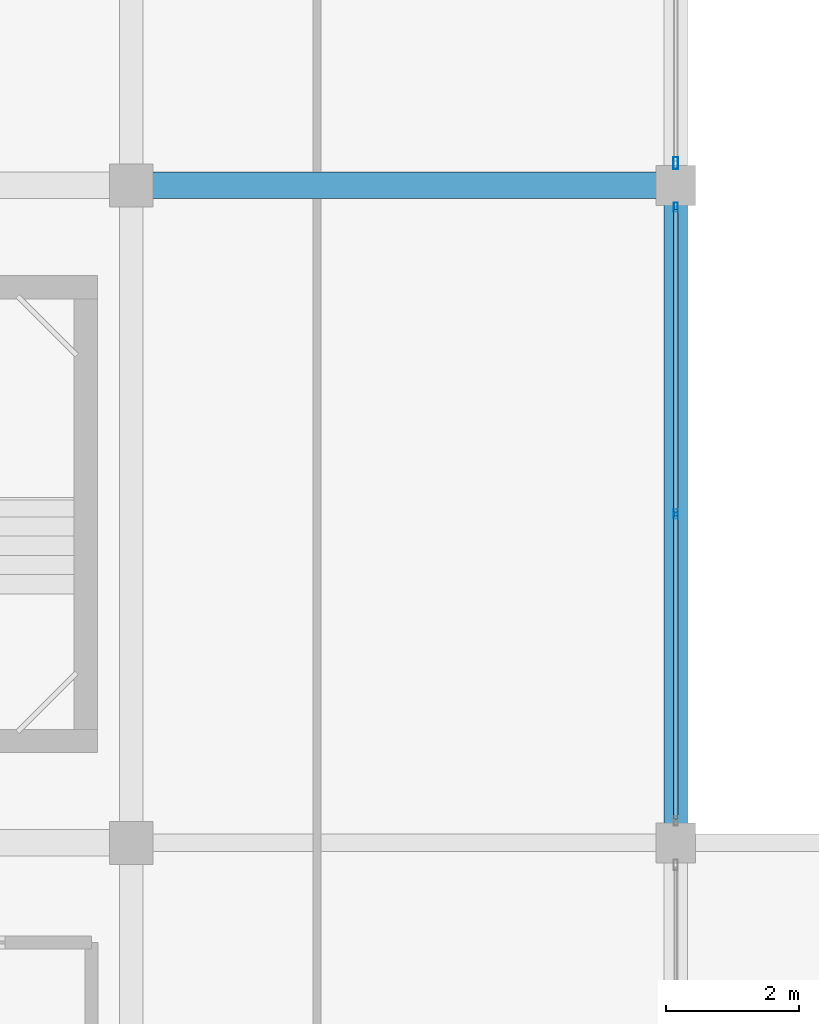
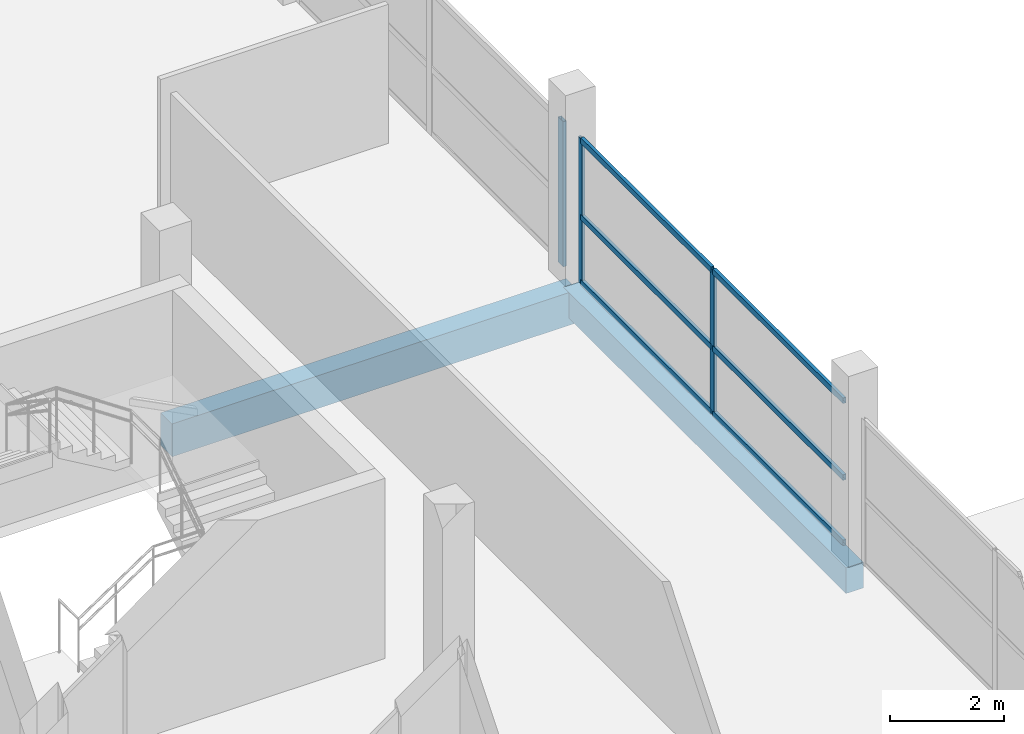
# One storey, part 37 of 66: 9 members, 2 beams, 2 elements without a shape of their own.
"""IFC4 building model written with IfcOpenShell, lengths in metres."""

from ifc_helpers import new_model, si_unit, direction, frame, origin, origin_2d, place, context, subcontext, project, spatial, rectangle, hollow_rectangle, extrude, material, layer, layer_set, material_profile, profile_set, type_object, element, aggregate, save


model = new_model("IFC4")

# Units and contexts
model_context = context("Model", 3, precision=1e-05, world=origin(), true_north=direction((0.0, 1.0)))
body_context = subcontext(model_context, "Body", "Model", "MODEL_VIEW")
ifc_project = project(units=[si_unit("LENGTHUNIT", "METRE"), si_unit("AREAUNIT", "SQUARE_METRE"), si_unit("VOLUMEUNIT", "CUBIC_METRE"), si_unit("PLANEANGLEUNIT", "RADIAN"), si_unit("MASSUNIT", "GRAM", prefix="KILO")], contexts=[model_context])

# Site, building, storey
site_placement = place(None, origin())
site = spatial("IfcSite", under=ifc_project, at=site_placement, CompositionType="ELEMENT")
building_placement = place(site_placement, origin())
building = spatial("IfcBuilding", under=site, at=building_placement, Name="Sillaruma Civic Art Gallery", CompositionType="ELEMENT")
storey_placement = place(building_placement, frame((0.0, 0.0, 62.219970703125)))
storey = spatial("IfcBuildingStorey", under=building, at=storey_placement, Name="L12", CompositionType="ELEMENT", Elevation=62.219970703125)

# Beams
ifc_material_1 = material(Name="Concrete H35 (35 MPa)", Category="concrete")
ifc_material_profile_1 = material_profile(ifc_material_1, rectangle(XDim=0.39990234375, YDim=0.699951171875, at=origin_2d()), Name="RCB400x700")
ifc_profile_set_1 = profile_set([ifc_material_profile_1], Name="Concrete H35 (35 MPa)")
beam_type_1 = type_object("IfcBeamType", Name="BM-BEAM-RCB400x700", PredefinedType="BEAM", material=ifc_profile_set_1)
beam_1_placement = place(storey_placement, frame((106.199951171875, 59.39990234375, -0.580078125), z_axis=(1.0, 0.0, 0.0), x_axis=(0.0, 1.0, 0.0)))
element("IfcBeam", 1, at=beam_1_placement, inside=storey, type_object=beam_type_1, Name="Beam BM-04 (L11:7:M-N)", PredefinedType="BEAM", context=body_context, shape_type="SweptSolid", body=[
    extrude(rectangle(XDim=0.39990234375, YDim=0.699951171875, at=origin_2d()), origin(), (0.0, 0.0, 1.0), 8.199951171875),
])
ifc_material_profile_2 = material_profile(ifc_material_1, rectangle(XDim=0.35009765625, YDim=0.550048828125, at=origin_2d()), Name="RCB350x550")
ifc_profile_set_2 = profile_set([ifc_material_profile_2], Name="Concrete H35 (35 MPa)")
beam_type_2 = type_object("IfcBeamType", Name="BM-SPANDREL-RCB350x550", PredefinedType="SPANDREL", material=ifc_profile_set_2)
beam_2_placement = place(storey_placement, frame((114.39990234375, 49.5, -0.5048828125), z_axis=(0.0, 1.0, 0.0), x_axis=(-1.0, 0.0, 0.0)))
element("IfcBeam", 2, at=beam_2_placement, inside=storey, type_object=beam_type_2, Name="Beam BS-04 (L11:N:6-7)", PredefinedType="SPANDREL", context=body_context, shape_type="SweptSolid", body=[
    extrude(rectangle(XDim=0.35009765625, YDim=0.550048828125, at=origin_2d()), origin(), (0.0, 0.0, 1.0), 9.89990234375),
])

# Curtain wall, members
ifc_material_2 = material(Name="Thermally Broken Extruded Aluminium 6063-T6", Category="aluminium")
ifc_layer_1 = layer(ifc_material_2, 0.139892578125, Name="Thermally Broken Extruded Aluminium 6063-T6")
ifc_layer_set_1 = layer_set([ifc_layer_1], Name="Thermally Broken Extruded Aluminium 6063-T6")
curtain_wall_type_1 = type_object("IfcCurtainWallType", Name="CW-UNI-99", PredefinedType="NOTDEFINED", material=ifc_layer_set_1)
curtain_wall_1_placement = place(storey_placement, origin())
curtain_wall_1 = element("IfcCurtainWall", 3, at=curtain_wall_1_placement, inside=storey, type_object=curtain_wall_type_1, Name="Unitised Curtain Wall CW-99 (CW-L12-EBE-4)", PredefinedType="NOTDEFINED")
ifc_material_profile_3 = material_profile(ifc_material_2, hollow_rectangle(XDim=0.06005859375, YDim=0.139892578125, WallThickness=0.00341796875, at=origin_2d()), Name="CWM60x140")
ifc_profile_set_3 = profile_set([ifc_material_profile_3], Name="Thermally Broken Extruded Aluminium 6063-T6")
member_type_1 = type_object("IfcMemberType", Name="MEM-MUL-CWM60x140", PredefinedType="MULLION", material=ifc_profile_set_3)
member_1_placement = place(storey_placement, frame((114.39990234375, 54.449951171875, 0.0), z_axis=(0.0, 0.0, 1.0), x_axis=(-1.0, 0.0, 0.0)))
member_1 = element("IfcMember", 4, at=member_1_placement, type_object=member_type_1, Name="CW-99 mullion 2", PredefinedType="MULLION", context=body_context, shape_type="SweptSolid", body=[
    extrude(hollow_rectangle(XDim=0.06005859375, YDim=0.139892578125, WallThickness=0.00341796875, at=origin_2d()), origin(), (0.0, 0.0, 1.0), 3.10009765625),
])
member_2_placement = place(storey_placement, frame((114.39990234375, 59.070068359375, 0.0), z_axis=(0.0, 0.0, 1.0), x_axis=(-1.0, 0.0, 0.0)))
member_2 = element("IfcMember", 5, at=member_2_placement, type_object=member_type_1, Name="CW-99 mullion 3", PredefinedType="MULLION", context=body_context, shape_type="SweptSolid", body=[
    extrude(hollow_rectangle(XDim=0.06005859375, YDim=0.139892578125, WallThickness=0.00341796875, at=origin_2d()), origin(), (0.0, 0.0, 1.0), 3.10009765625),
])

# Curtain wall, member
ifc_layer_2 = layer(ifc_material_2, 0.179931640625, Name="Thermally Broken Extruded Aluminium 6063-T6")
ifc_layer_set_2 = layer_set([ifc_layer_2], Name="Thermally Broken Extruded Aluminium 6063-T6")
curtain_wall_type_2 = type_object("IfcCurtainWallType", Name="CW-UNI-101", PredefinedType="NOTDEFINED", material=ifc_layer_set_2)
curtain_wall_2_placement = place(storey_placement, origin())
curtain_wall_2 = element("IfcCurtainWall", 6, at=curtain_wall_2_placement, inside=storey, type_object=curtain_wall_type_2, Name="Unitised Curtain Wall CW-101 (CW-L12-EBE-5)", PredefinedType="NOTDEFINED")
ifc_material_profile_4 = material_profile(ifc_material_2, hollow_rectangle(XDim=0.070068359375, YDim=0.179931640625, WallThickness=0.00390625, at=origin_2d()), Name="CWM70x180")
ifc_profile_set_4 = profile_set([ifc_material_profile_4], Name="Thermally Broken Extruded Aluminium 6063-T6")
member_type_2 = type_object("IfcMemberType", Name="MEM-MUL-CWM70x180", PredefinedType="MULLION", material=ifc_profile_set_4)
member_3_placement = place(storey_placement, frame((114.39990234375, 59.735107421875, 0.0), z_axis=(0.0, 0.0, 1.0), x_axis=(-1.0, 0.0, 0.0)))
member_3 = element("IfcMember", 7, at=member_3_placement, type_object=member_type_2, Name="CW-101 mullion 1", PredefinedType="MULLION", context=body_context, shape_type="SweptSolid", body=[
    extrude(hollow_rectangle(XDim=0.070068359375, YDim=0.179931640625, WallThickness=0.00390625, at=origin_2d()), origin(), (0.0, 0.0, 1.0), 3.10009765625),
])
aggregate(curtain_wall_2, [member_3])

# Member
ifc_material_profile_5 = material_profile(ifc_material_2, hollow_rectangle(XDim=0.06494140625, YDim=0.1201171875, WallThickness=0.00341796875, at=origin_2d()), Name="CWT65x120")
ifc_profile_set_5 = profile_set([ifc_material_profile_5], Name="Thermally Broken Extruded Aluminium 6063-T6")
member_type_3 = type_object("IfcMemberType", Name="MEM-TRN-CWT65x120", PredefinedType="USERDEFINED", material=ifc_profile_set_5)
member_4_placement = place(storey_placement, frame((114.39990234375, 49.860107421875, 0.032470703125), z_axis=(0.0, 1.0, 0.0), x_axis=(-1.0, 0.0, 0.0)))
member_4 = element("IfcMember", 8, at=member_4_placement, type_object=member_type_3, Name="CW-99 transom 1.1", ObjectType="TRANSOM", PredefinedType="USERDEFINED", context=body_context, shape_type="SweptSolid", body=[
    extrude(hollow_rectangle(XDim=0.06494140625, YDim=0.1201171875, WallThickness=0.00341796875, at=origin_2d()), origin(), (0.0, 0.0, 1.0), 4.559814453125),
])

member_5_placement = place(storey_placement, frame((114.39990234375, 49.860107421875, 1.426025390625), z_axis=(0.0, 1.0, 0.0), x_axis=(-1.0, 0.0, 0.0)))
member_5 = element("IfcMember", 9, at=member_5_placement, type_object=member_type_3, Name="CW-99 transom 1.2", ObjectType="TRANSOM", PredefinedType="USERDEFINED", context=body_context, shape_type="SweptSolid", body=[
    extrude(hollow_rectangle(XDim=0.06494140625, YDim=0.1201171875, WallThickness=0.00341796875, at=origin_2d()), origin(), (0.0, 0.0, 1.0), 4.559814453125),
])

member_6_placement = place(storey_placement, frame((114.39990234375, 49.860107421875, 3.067626953125), z_axis=(0.0, 1.0, 0.0), x_axis=(-1.0, 0.0, 0.0)))
member_6 = element("IfcMember", 10, at=member_6_placement, type_object=member_type_3, Name="CW-99 transom 1.3", ObjectType="TRANSOM", PredefinedType="USERDEFINED", context=body_context, shape_type="SweptSolid", body=[
    extrude(hollow_rectangle(XDim=0.06494140625, YDim=0.1201171875, WallThickness=0.00341796875, at=origin_2d()), origin(), (0.0, 0.0, 1.0), 4.559814453125),
])

member_7_placement = place(storey_placement, frame((114.39990234375, 54.47998046875, 0.032470703125), z_axis=(0.0, 1.0, 0.0), x_axis=(-1.0, 0.0, 0.0)))
member_7 = element("IfcMember", 11, at=member_7_placement, type_object=member_type_3, Name="CW-99 transom 2.1", ObjectType="TRANSOM", PredefinedType="USERDEFINED", context=body_context, shape_type="SweptSolid", body=[
    extrude(hollow_rectangle(XDim=0.06494140625, YDim=0.1201171875, WallThickness=0.00341796875, at=origin_2d()), origin(), (0.0, 0.0, 1.0), 4.56005859375),
])

member_8_placement = place(storey_placement, frame((114.39990234375, 54.47998046875, 1.426025390625), z_axis=(0.0, 1.0, 0.0), x_axis=(-1.0, 0.0, 0.0)))
member_8 = element("IfcMember", 12, at=member_8_placement, type_object=member_type_3, Name="CW-99 transom 2.2", ObjectType="TRANSOM", PredefinedType="USERDEFINED", context=body_context, shape_type="SweptSolid", body=[
    extrude(hollow_rectangle(XDim=0.06494140625, YDim=0.1201171875, WallThickness=0.00341796875, at=origin_2d()), origin(), (0.0, 0.0, 1.0), 4.56005859375),
])

member_9_placement = place(storey_placement, frame((114.39990234375, 54.47998046875, 3.067626953125), z_axis=(0.0, 1.0, 0.0), x_axis=(-1.0, 0.0, 0.0)))
member_9 = element("IfcMember", 13, at=member_9_placement, type_object=member_type_3, Name="CW-99 transom 2.3", ObjectType="TRANSOM", PredefinedType="USERDEFINED", context=body_context, shape_type="SweptSolid", body=[
    extrude(hollow_rectangle(XDim=0.06494140625, YDim=0.1201171875, WallThickness=0.00341796875, at=origin_2d()), origin(), (0.0, 0.0, 1.0), 4.56005859375),
])

aggregate(curtain_wall_1, [member_1, member_2, member_4, member_5, member_6, member_7, member_8, member_9])

save(model, "model.ifc")
